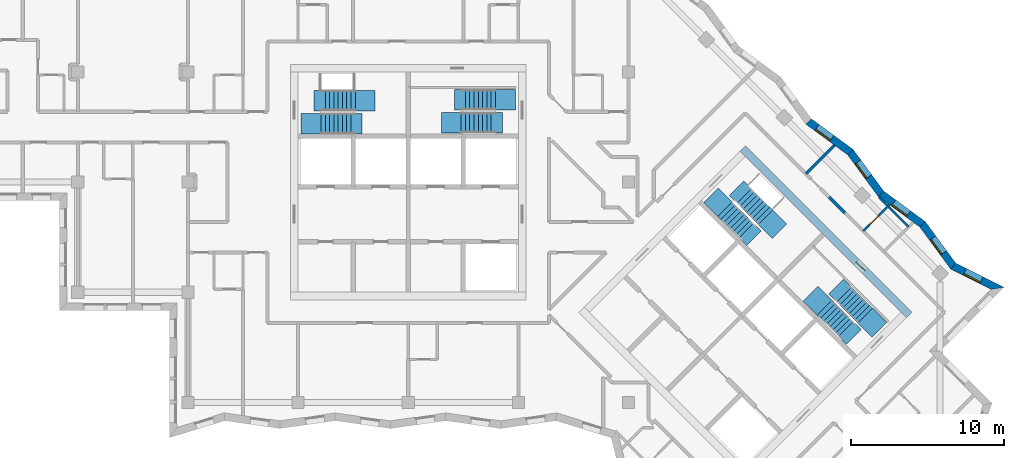
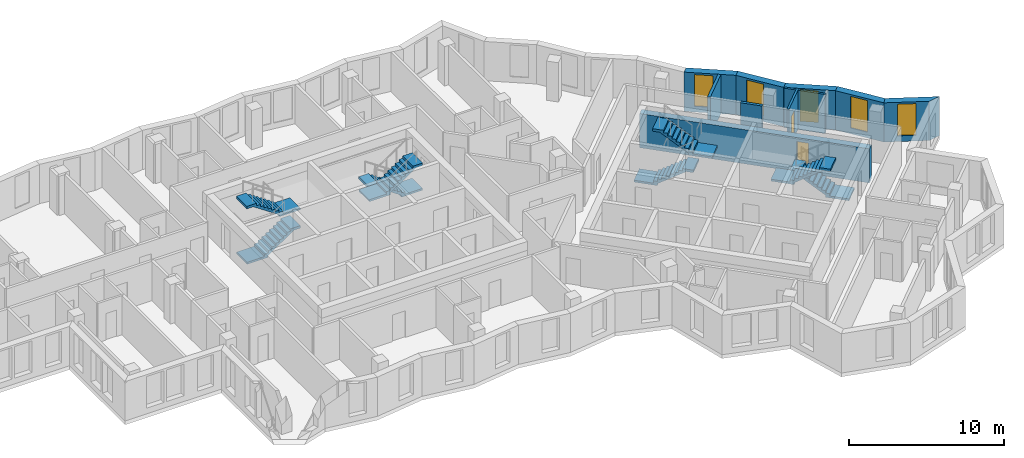
# One storey, part 9 of 12: 10 walls, 8 stair flights, 5 windows, 2 doors, 7 openings, 4 elements without a shape of their own.
"""IFC4 building model written with IfcOpenShell, lengths in metres."""

from ifc_helpers import new_model, si_unit, direction, frame, frame_2d, origin, place, context, subcontext, project, spatial, polyline, rectangle, outline, extrude, material, layer, layer_set, type_object, element, fill, aggregate, save


model = new_model("IFC4")

# Units and contexts
model_context = context("Model", 3, precision=1e-05, world=origin(), true_north=direction((0.0, 1.0)))
body_context = subcontext(model_context, "Body", "Model", "MODEL_VIEW")
ifc_project = project(units=[si_unit("LENGTHUNIT", "METRE"), si_unit("AREAUNIT", "SQUARE_METRE"), si_unit("VOLUMEUNIT", "CUBIC_METRE"), si_unit("PLANEANGLEUNIT", "RADIAN"), si_unit("MASSUNIT", "GRAM", prefix="KILO")], contexts=[model_context])

# Site, building, storey
site_placement = place(None, origin())
site = spatial("IfcSite", under=ifc_project, at=site_placement, CompositionType="ELEMENT")
building_placement = place(site_placement, origin())
building = spatial("IfcBuilding", under=site, at=building_placement, Name="Windrow Commons", CompositionType="ELEMENT")
storey_placement = place(building_placement, frame((0.0, 0.0, 213.4)))
storey = spatial("IfcBuildingStorey", under=building, at=storey_placement, Name="L58", CompositionType="ELEMENT", Elevation=213.4)

# Wall, opening, window
ifc_material_1 = material(Name="Brick masonry, red clay brick", Category="masonry")
ifc_layer_1 = layer(ifc_material_1, 0.5)
ifc_layer_set_1 = layer_set([ifc_layer_1], Name="Brick facade wall 500")
wall_type_1 = type_object("IfcWallType", Name="Brick facade wall 500", PredefinedType="SOLIDWALL", material=ifc_layer_set_1)
wall_1_placement = place(storey_placement, frame((103.3231, 50.6561, 0.0), z_axis=(0.0, 0.0, 1.0), x_axis=(-0.8944457671, 0.4471764414, 0.0)))
wall_1 = element("IfcWall", 1, at=wall_1_placement, inside=storey, type_object=wall_type_1, Name="Brick facade wall L58 7", PredefinedType="SOLIDWALL", context=body_context, shape_type="SweptSolid", body=[
    extrude(outline(polyline([(-0.3469, -0.25), (3.1694, -0.25), (3.2902, 0.25), (0.3469, 0.25), (-0.3469, -0.25)])), origin(), (0.0, 0.0, 1.0), 3.1),
])
opening_1_placement = place(wall_1_placement, frame((1.1883, 0.0, 0.45)))
opening_1 = element("IfcOpeningElement", 2, at=opening_1_placement, cuts=wall_1, Name="Opening W7E", PredefinedType="OPENING", context=body_context, shape_type="SweptSolid", body=[
    extrude(rectangle(XDim=1.2, YDim=2.5, at=frame_2d((0.6, 1.25))), frame((0.0, 0.26, 0.0), z_axis=(0.0, -1.0, 0.0), x_axis=(1.0, 0.0, 0.0)), (0.0, 0.0, 1.0), 0.52),
])
ifc_material_2 = material(Name="Clear float glass in anodised aluminium frame", Category="aluminium")
window_type = type_object("IfcWindowType", Name="Window W7 notch 1200x2500", PartitioningType="SINGLE_PANEL", PredefinedType="WINDOW", material=ifc_material_2)
window_1_placement = place(opening_1_placement, origin())
window_1 = element("IfcWindow", 3, at=window_1_placement, inside=storey, type_object=window_type, Name="Window L58 7.1", OverallHeight=2.5, OverallWidth=1.2, PartitioningType="SINGLE_PANEL", PredefinedType="WINDOW", context=body_context, shape_type="SweptSolid", body=[
    extrude(rectangle(XDim=1.2, YDim=2.5, at=frame_2d((0.6, 1.25))), frame((0.0, 0.18, 0.0), z_axis=(0.0, -1.0, 0.0), x_axis=(1.0, 0.0, 0.0)), (0.0, 0.0, 1.0), 0.06),
])
fill(opening_1, window_1)

wall_2_placement = place(storey_placement, frame((100.4342, 52.1004, 0.0), z_axis=(0.0, 0.0, 1.0), x_axis=(-0.5916303667, 0.8062093458, 0.0)))
wall_2 = element("IfcWall", 4, at=wall_2_placement, inside=storey, type_object=wall_type_1, Name="Brick facade wall L58 8", PredefinedType="SOLIDWALL", context=body_context, shape_type="SweptSolid", body=[
    extrude(outline(polyline([(0.0604, -0.25), (3.4352, -0.25), (3.3585, 0.25), (-0.0604, 0.25), (0.0604, -0.25)])), origin(), (0.0, 0.0, 1.0), 3.1),
])
opening_2_placement = place(wall_2_placement, frame((1.0792, 0.0, 0.45)))
opening_2 = element("IfcOpeningElement", 5, at=opening_2_placement, cuts=wall_2, Name="Opening W7E", PredefinedType="OPENING", context=body_context, shape_type="SweptSolid", body=[
    extrude(rectangle(XDim=1.2, YDim=2.5, at=frame_2d((0.6, 1.25))), frame((0.0, 0.26, 0.0), z_axis=(0.0, -1.0, 0.0), x_axis=(1.0, 0.0, 0.0)), (0.0, 0.0, 1.0), 0.52),
])
window_2_placement = place(opening_2_placement, origin())
window_2 = element("IfcWindow", 6, at=window_2_placement, inside=storey, type_object=window_type, Name="Window L58 8.1", OverallHeight=2.5, OverallWidth=1.2, PartitioningType="SINGLE_PANEL", PredefinedType="WINDOW", context=body_context, shape_type="SweptSolid", body=[
    extrude(rectangle(XDim=1.2, YDim=2.5, at=frame_2d((0.6, 1.25))), frame((0.0, 0.18, 0.0), z_axis=(0.0, -1.0, 0.0), x_axis=(1.0, 0.0, 0.0)), (0.0, 0.0, 1.0), 0.06),
])
fill(opening_2, window_2)

wall_3_placement = place(storey_placement, frame((98.4245, 54.839, 0.0), z_axis=(0.0, 0.0, 1.0), x_axis=(-0.806200528, 0.5916423825, 0.0)))
wall_3 = element("IfcWall", 7, at=wall_3_placement, inside=storey, type_object=wall_type_1, Name="Brick facade wall L58 9", PredefinedType="SOLIDWALL", context=body_context, shape_type="SweptSolid", body=[
    extrude(outline(polyline([(-0.0384, -0.25), (3.3365, -0.25), (3.4132, 0.25), (0.0384, 0.25), (-0.0384, -0.25)])), origin(), (0.0, 0.0, 1.0), 3.1),
])
opening_3_placement = place(wall_3_placement, frame((1.1547, 0.0, 0.45)))
opening_3 = element("IfcOpeningElement", 8, at=opening_3_placement, cuts=wall_3, Name="Opening W7E", PredefinedType="OPENING", context=body_context, shape_type="SweptSolid", body=[
    extrude(rectangle(XDim=1.2, YDim=2.5, at=frame_2d((0.6, 1.25))), frame((0.0, 0.26, 0.0), z_axis=(0.0, -1.0, 0.0), x_axis=(1.0, 0.0, 0.0)), (0.0, 0.0, 1.0), 0.52),
])
window_3_placement = place(opening_3_placement, origin())
window_3 = element("IfcWindow", 9, at=window_3_placement, inside=storey, type_object=window_type, Name="Window L58 9.1", OverallHeight=2.5, OverallWidth=1.2, PartitioningType="SINGLE_PANEL", PredefinedType="WINDOW", context=body_context, shape_type="SweptSolid", body=[
    extrude(rectangle(XDim=1.2, YDim=2.5, at=frame_2d((0.6, 1.25))), frame((0.0, 0.18, 0.0), z_axis=(0.0, -1.0, 0.0), x_axis=(1.0, 0.0, 0.0)), (0.0, 0.0, 1.0), 0.06),
])
fill(opening_3, window_3)

wall_4_placement = place(storey_placement, frame((95.7037, 56.8357, 0.0), z_axis=(0.0, 0.0, 1.0), x_axis=(-0.5916423825, 0.806200528, 0.0)))
wall_4 = element("IfcWall", 10, at=wall_4_placement, inside=storey, type_object=wall_type_1, Name="Brick facade wall L58 10", PredefinedType="SOLIDWALL", context=body_context, shape_type="SweptSolid", body=[
    extrude(outline(polyline([(0.0384, -0.25), (3.4132, -0.25), (3.3365, 0.25), (-0.0384, 0.25), (0.0384, -0.25)])), origin(), (0.0, 0.0, 1.0), 3.1),
])
opening_4_placement = place(wall_4_placement, frame((1.3692, 0.0, 0.45)))
opening_4 = element("IfcOpeningElement", 11, at=opening_4_placement, cuts=wall_4, Name="Opening W7E", PredefinedType="OPENING", context=body_context, shape_type="SweptSolid", body=[
    extrude(rectangle(XDim=1.2, YDim=2.5, at=frame_2d((0.6, 1.25))), frame((0.0, 0.26, 0.0), z_axis=(0.0, -1.0, 0.0), x_axis=(1.0, 0.0, 0.0)), (0.0, 0.0, 1.0), 0.52),
])
window_4_placement = place(opening_4_placement, origin())
window_4 = element("IfcWindow", 12, at=window_4_placement, inside=storey, type_object=window_type, Name="Window L58 10.1", OverallHeight=2.5, OverallWidth=1.2, PartitioningType="SINGLE_PANEL", PredefinedType="WINDOW", context=body_context, shape_type="SweptSolid", body=[
    extrude(rectangle(XDim=1.2, YDim=2.5, at=frame_2d((0.6, 1.25))), frame((0.0, 0.18, 0.0), z_axis=(0.0, -1.0, 0.0), x_axis=(1.0, 0.0, 0.0)), (0.0, 0.0, 1.0), 0.06),
])
fill(opening_4, window_4)

wall_5_placement = place(storey_placement, frame((93.707, 59.5565, 0.0), z_axis=(0.0, 0.0, 1.0), x_axis=(-0.8061901555, 0.5916565162, 0.0)))
wall_5 = element("IfcWall", 13, at=wall_5_placement, inside=storey, type_object=wall_type_1, Name="Brick facade wall L58 11", PredefinedType="SOLIDWALL", context=body_context, shape_type="SweptSolid", body=[
    extrude(outline(polyline([(-0.0384, -0.25), (3.3365, -0.25), (3.4132, 0.25), (0.0384, 0.25), (-0.0384, -0.25)])), origin(), (0.0, 0.0, 1.0), 3.1),
])
opening_5_placement = place(wall_5_placement, frame((1.5221, 0.0, 0.45)))
opening_5 = element("IfcOpeningElement", 14, at=opening_5_placement, cuts=wall_5, Name="Opening W7E", PredefinedType="OPENING", context=body_context, shape_type="SweptSolid", body=[
    extrude(rectangle(XDim=1.2, YDim=2.5, at=frame_2d((0.6, 1.25))), frame((0.0, 0.26, 0.0), z_axis=(0.0, -1.0, 0.0), x_axis=(1.0, 0.0, 0.0)), (0.0, 0.0, 1.0), 0.52),
])
window_5_placement = place(opening_5_placement, origin())
window_5 = element("IfcWindow", 15, at=window_5_placement, inside=storey, type_object=window_type, Name="Window L58 11.1", OverallHeight=2.5, OverallWidth=1.2, PartitioningType="SINGLE_PANEL", PredefinedType="WINDOW", context=body_context, shape_type="SweptSolid", body=[
    extrude(rectangle(XDim=1.2, YDim=2.5, at=frame_2d((0.6, 1.25))), frame((0.0, 0.18, 0.0), z_axis=(0.0, -1.0, 0.0), x_axis=(1.0, 0.0, 0.0)), (0.0, 0.0, 1.0), 0.06),
])
fill(opening_5, window_5)

# Walls
ifc_material_3 = material(Name="Blockwork partition", Category="masonry")
ifc_layer_2 = layer(ifc_material_3, 0.2)
ifc_layer_set_2 = layer_set([ifc_layer_2], Name="IW-CORRIDOR-200")
wall_type_2 = type_object("IfcWallType", Name="IW-CORRIDOR-200", PredefinedType="PARTITIONING", material=ifc_layer_set_2)
wall_6_placement = place(storey_placement, frame((92.3106, 56.6266, 0.0), z_axis=(0.0, 0.0, 1.0), x_axis=(0.7077922938, -0.7064206033, 0.0)))
element("IfcWall", 16, at=wall_6_placement, inside=storey, type_object=wall_type_2, Name="W-L58-W122", PredefinedType="PARTITIONING", context=body_context, shape_type="SweptSolid", body=[
    extrude(rectangle(XDim=1.4581, YDim=0.2, at=frame_2d((0.729, 0.0))), origin(), (0.0, 0.0, 1.0), 3.1),
])
ifc_material_4 = material(Name="Blockwork partition", Category="masonry")
ifc_layer_3 = layer(ifc_material_4, 0.15)
ifc_layer_set_3 = layer_set([ifc_layer_3], Name="IW-ENSUITE-150")
wall_type_3 = type_object("IfcWallType", Name="IW-ENSUITE-150", PredefinedType="PARTITIONING", material=ifc_layer_set_3)
wall_7_placement = place(storey_placement, frame((95.567, 56.6165, 0.0), z_axis=(0.0, 0.0, 1.0), x_axis=(0.7071249702, -0.7070885917, 0.0)))
element("IfcWall", 17, at=wall_7_placement, inside=storey, type_object=wall_type_3, Name="W-L58-W052", PredefinedType="PARTITIONING", context=body_context, shape_type="SweptSolid", body=[
    extrude(rectangle(XDim=2.7489, YDim=0.15, at=frame_2d((1.3744, 0.0))), origin(), (0.0, 0.0, 1.0), 3.1),
])

# Wall, opening, door
wall_8_placement = place(storey_placement, frame((94.5438, 54.3942, 0.0), z_axis=(0.0, 0.0, 1.0), x_axis=(0.7071067812, 0.7071067812, 0.0)))
wall_8 = element("IfcWall", 18, at=wall_8_placement, inside=storey, type_object=wall_type_3, Name="W-L58-W084", PredefinedType="PARTITIONING", context=body_context, shape_type="SweptSolid", body=[
    extrude(rectangle(XDim=2.4327, YDim=0.15, at=frame_2d((1.2164, 0.0))), origin(), (0.0, 0.0, 1.0), 3.1),
])
opening_6_placement = place(wall_8_placement, frame((0.5941, 0.0, 0.0)))
opening_6 = element("IfcOpeningElement", 19, at=opening_6_placement, cuts=wall_8, Name="Opening D208N", PredefinedType="OPENING", context=body_context, shape_type="SweptSolid", body=[
    extrude(rectangle(XDim=0.8, YDim=2.1, at=frame_2d((0.4, 1.05))), frame((0.0, 0.085, 0.0), z_axis=(0.0, -1.0, 0.0), x_axis=(1.0, 0.0, 0.0)), (0.0, 0.0, 1.0), 0.17),
])
ifc_material_5 = material(Name="Timber door leaf", Category="wood")
door_type_1 = type_object("IfcDoorType", Name="DT-ENSUITE-800", OperationType="SINGLE_SWING_LEFT", PredefinedType="DOOR", material=ifc_material_5)
door_1_placement = place(opening_6_placement, origin())
door_1 = element("IfcDoor", 20, at=door_1_placement, inside=storey, type_object=door_type_1, Name="D-L58-D038", OperationType="SINGLE_SWING_RIGHT", OverallHeight=2.1, OverallWidth=0.8, PredefinedType="DOOR", context=body_context, shape_type="SweptSolid", body=[
    extrude(rectangle(XDim=0.8, YDim=2.1, at=frame_2d((0.4, 1.05))), frame((0.0, 0.025, 0.0), z_axis=(0.0, -1.0, 0.0), x_axis=(1.0, 0.0, 0.0)), (0.0, 0.0, 1.0), 0.05),
])
fill(opening_6, door_1)

# Wall
ifc_material_6 = material(Name="Blockwork partition", Category="masonry")
ifc_layer_4 = layer(ifc_material_6, 0.2)
ifc_layer_set_4 = layer_set([ifc_layer_4], Name="IW-PARTY-200")
wall_type_4 = type_object("IfcWallType", Name="IW-PARTY-200", PredefinedType="PARTITIONING", material=ifc_layer_set_4)
wall_9_placement = place(storey_placement, frame((90.7972, 58.1388, 0.0), z_axis=(0.0, 0.0, 1.0), x_axis=(0.7066529259, 0.7075603454, 0.0)))
element("IfcWall", 21, at=wall_9_placement, inside=storey, type_object=wall_type_4, Name="W-L58-W058", PredefinedType="PARTITIONING", context=body_context, shape_type="SweptSolid", body=[
    extrude(rectangle(XDim=2.6449, YDim=0.2, at=frame_2d((1.3224, 0.0))), origin(), (0.0, 0.0, 1.0), 3.1),
])

# Wall, opening, door
ifc_material_7 = material(Name="Concrete C40/50", Category="concrete")
ifc_layer_5 = layer(ifc_material_7, 0.5)
ifc_layer_set_5 = layer_set([ifc_layer_5], Name="RC CORE WALL 500 C40/50")
wall_type_5 = type_object("IfcWallType", Name="RC CORE WALL 500 C40/50", PredefinedType="SHEAR", material=ifc_layer_set_5)
wall_10_placement = place(storey_placement, frame((86.66, 59.8024, -0.3), z_axis=(0.0, 0.0, 1.0), x_axis=(0.7071067812, -0.7071067812, 0.0)))
wall_10 = element("IfcWall", 22, at=wall_10_placement, inside=storey, type_object=wall_type_5, Name="Core B wall outer-N", PredefinedType="SHEAR", context=body_context, shape_type="SweptSolid", body=[
    extrude(rectangle(XDim=15.3999, YDim=0.5, at=frame_2d((7.7, 0.0))), origin(), (0.0, 0.0, 1.0), 2.7),
])
opening_7_placement = place(wall_10_placement, frame((10.5, 0.0, 0.3)))
opening_7 = element("IfcOpeningElement", 23, at=opening_7_placement, cuts=wall_10, Name="Opening D9", PredefinedType="OPENING", context=body_context, shape_type="SweptSolid", body=[
    extrude(rectangle(XDim=0.8, YDim=2.1, at=frame_2d((0.4, 1.05))), frame((0.0, 0.26, 0.0), z_axis=(0.0, -1.0, 0.0), x_axis=(1.0, 0.0, 0.0)), (0.0, 0.0, 1.0), 0.52),
])
ifc_material_8 = material(Name="Steel fire door leaf", Category="steel")
door_type_2 = type_object("IfcDoorType", Name="Riser access door 800", OperationType="SINGLE_SWING_LEFT", PredefinedType="DOOR", material=ifc_material_8)
door_2_placement = place(opening_7_placement, origin())
door_2 = element("IfcDoor", 24, at=door_2_placement, inside=storey, type_object=door_type_2, Name="Riser access door", OperationType="SINGLE_SWING_RIGHT", OverallHeight=2.1, OverallWidth=0.8, PredefinedType="DOOR", context=body_context, shape_type="SweptSolid", body=[
    extrude(rectangle(XDim=0.8, YDim=2.1, at=frame_2d((0.4, 1.05))), frame((0.0, 0.025, 0.0), z_axis=(0.0, -1.0, 0.0), x_axis=(1.0, 0.0, 0.0)), (0.0, 0.0, 1.0), 0.05),
])
fill(opening_7, door_2)

# Stair, stair flights
ifc_material_9 = material(Name="Concrete C40/50", Category="concrete")
stair_type = type_object("IfcStairType", Name="Core stair", PredefinedType="HALF_TURN_STAIR", material=ifc_material_9)
placement = place(storey_placement, origin())
stair_1 = element("IfcStair", 25, at=placement, inside=storey, type_object=stair_type, Name="L58 Exit stair A1 core A", PredefinedType="HALF_TURN_STAIR")
ifc_material_10 = material(Name="Concrete C40/50", Category="concrete")
stair_flight_type = type_object("IfcStairFlightType", Name="Core stair flight", PredefinedType="STRAIGHT", material=ifc_material_10)
stair_flight_1_placement = place(storey_placement, frame((59.1, 61.425, 0.0), z_axis=(0.0, 0.0, 1.0), x_axis=(1.0, 0.0, 0.0)))
stair_flight_1 = element("IfcStairFlight", 26, at=stair_flight_1_placement, type_object=stair_flight_type, Name="ST-A1 flight 1", NumberOfRisers=9, NumberOfTreads=8, PredefinedType="STRAIGHT", RiserHeight=0.188888889, TreadLength=0.28, context=body_context, shape_type="SweptSolid", body=[
    extrude(outline(polyline([(-1.3, -0.15), (-1.3, 0.0), (0.0, 0.0), (0.0, 0.1889), (0.28, 0.1889), (0.28, 0.3778), (0.56, 0.3778), (0.56, 0.5667), (0.84, 0.5667), (0.84, 0.7556), (1.12, 0.7556), (1.12, 0.9444), (1.4, 0.9444), (1.4, 1.1333), (1.68, 1.1333), (1.68, 1.3222), (1.96, 1.3222), (1.96, 1.5111), (2.24, 1.5111), (2.69, 1.5111), (2.69, 1.3111), (2.24, 1.3111), (2.24, 1.3302), (0.2682, 0.0), (0.2682, -0.15), (-1.3, -0.15)])), frame((0.0, 0.675, 0.0), z_axis=(0.0, -1.0, 0.0), x_axis=(1.0, 0.0, 0.0)), (0.0, 0.0, 1.0), 1.35),
])
stair_flight_2_placement = place(storey_placement, frame((61.34, 62.925, 1.7), z_axis=(0.0, 0.0, 1.0), x_axis=(-1.0, 0.0, 0.0)))
stair_flight_2 = element("IfcStairFlight", 27, at=stair_flight_2_placement, type_object=stair_flight_type, Name="ST-A1 flight 2", NumberOfRisers=9, NumberOfTreads=8, PredefinedType="STRAIGHT", RiserHeight=0.188888889, TreadLength=0.28, context=body_context, shape_type="SweptSolid", body=[
    extrude(outline(polyline([(-1.3, -0.15), (-1.3, 0.0), (0.0, 0.0), (0.0, 0.1889), (0.28, 0.1889), (0.28, 0.3778), (0.56, 0.3778), (0.56, 0.5667), (0.84, 0.5667), (0.84, 0.7556), (1.12, 0.7556), (1.12, 0.9444), (1.4, 0.9444), (1.4, 1.1333), (1.68, 1.1333), (1.68, 1.3222), (1.96, 1.3222), (1.96, 1.5111), (2.24, 1.5111), (2.69, 1.5111), (2.69, 1.3111), (2.24, 1.3111), (2.24, 1.3302), (0.2682, 0.0), (0.2682, -0.15), (-1.3, -0.15)])), frame((0.0, 0.675, 0.0), z_axis=(0.0, -1.0, 0.0), x_axis=(1.0, 0.0, 0.0)), (0.0, 0.0, 1.0), 1.35),
])
aggregate(stair_1, [stair_flight_1, stair_flight_2])

stair_2 = element("IfcStair", 28, at=placement, inside=storey, type_object=stair_type, Name="L58 Exit stair A2 core A", PredefinedType="HALF_TURN_STAIR")
stair_flight_3_placement = place(storey_placement, frame((70.5, 62.98, 0.0), z_axis=(0.0, 0.0, 1.0), x_axis=(-1.0, 0.0, 0.0)))
stair_flight_3 = element("IfcStairFlight", 29, at=stair_flight_3_placement, type_object=stair_flight_type, Name="ST-A2 flight 1", NumberOfRisers=9, NumberOfTreads=8, PredefinedType="STRAIGHT", RiserHeight=0.188888889, TreadLength=0.28, context=body_context, shape_type="SweptSolid", body=[
    extrude(outline(polyline([(-1.3, -0.15), (-1.3, 0.0), (0.0, 0.0), (0.0, 0.1889), (0.28, 0.1889), (0.28, 0.3778), (0.56, 0.3778), (0.56, 0.5667), (0.84, 0.5667), (0.84, 0.7556), (1.12, 0.7556), (1.12, 0.9444), (1.4, 0.9444), (1.4, 1.1333), (1.68, 1.1333), (1.68, 1.3222), (1.96, 1.3222), (1.96, 1.5111), (2.24, 1.5111), (2.69, 1.5111), (2.69, 1.3111), (2.24, 1.3111), (2.24, 1.3302), (0.2682, 0.0), (0.2682, -0.15), (-1.3, -0.15)])), frame((0.0, 0.675, 0.0), z_axis=(0.0, -1.0, 0.0), x_axis=(1.0, 0.0, 0.0)), (0.0, 0.0, 1.0), 1.35),
])
stair_flight_4_placement = place(storey_placement, frame((68.26, 61.48, 1.7), z_axis=(0.0, 0.0, 1.0), x_axis=(1.0, 0.0, 0.0)))
stair_flight_4 = element("IfcStairFlight", 30, at=stair_flight_4_placement, type_object=stair_flight_type, Name="ST-A2 flight 2", NumberOfRisers=9, NumberOfTreads=8, PredefinedType="STRAIGHT", RiserHeight=0.188888889, TreadLength=0.28, context=body_context, shape_type="SweptSolid", body=[
    extrude(outline(polyline([(-1.3, -0.15), (-1.3, 0.0), (0.0, 0.0), (0.0, 0.1889), (0.28, 0.1889), (0.28, 0.3778), (0.56, 0.3778), (0.56, 0.5667), (0.84, 0.5667), (0.84, 0.7556), (1.12, 0.7556), (1.12, 0.9444), (1.4, 0.9444), (1.4, 1.1333), (1.68, 1.1333), (1.68, 1.3222), (1.96, 1.3222), (1.96, 1.5111), (2.24, 1.5111), (2.69, 1.5111), (2.69, 1.3111), (2.24, 1.3111), (2.24, 1.3302), (0.2682, 0.0), (0.2682, -0.15), (-1.3, -0.15)])), frame((0.0, 0.675, 0.0), z_axis=(0.0, -1.0, 0.0), x_axis=(1.0, 0.0, 0.0)), (0.0, 0.0, 1.0), 1.35),
])
aggregate(stair_2, [stair_flight_3, stair_flight_4])

stair_3 = element("IfcStair", 31, at=placement, inside=storey, type_object=stair_type, Name="L58 Exit stair B1 core B", PredefinedType="HALF_TURN_STAIR")
stair_flight_5_placement = place(storey_placement, frame((85.5109, 55.8249, 0.0), z_axis=(0.0, 0.0, 1.0), x_axis=(0.7071067812, -0.7071067812, 0.0)))
stair_flight_5 = element("IfcStairFlight", 32, at=stair_flight_5_placement, type_object=stair_flight_type, Name="ST-B1 flight 1", NumberOfRisers=9, NumberOfTreads=8, PredefinedType="STRAIGHT", RiserHeight=0.188888889, TreadLength=0.28, context=body_context, shape_type="SweptSolid", body=[
    extrude(outline(polyline([(-1.3, -0.15), (-1.3, 0.0), (0.0, 0.0), (0.0, 0.1889), (0.28, 0.1889), (0.28, 0.3778), (0.56, 0.3778), (0.56, 0.5667), (0.84, 0.5667), (0.84, 0.7556), (1.12, 0.7556), (1.12, 0.9444), (1.4, 0.9444), (1.4, 1.1333), (1.68, 1.1333), (1.68, 1.3222), (1.96, 1.3222), (1.96, 1.5111), (2.24, 1.5111), (2.69, 1.5111), (2.69, 1.3111), (2.24, 1.3111), (2.24, 1.3302), (0.2682, 0.0), (0.2682, -0.15), (-1.3, -0.15)])), frame((0.0, 0.675, 0.0), z_axis=(0.0, -1.0, 0.0), x_axis=(1.0, 0.0, 0.0)), (0.0, 0.0, 1.0), 1.35),
])
stair_flight_6_placement = place(storey_placement, frame((88.1555, 55.3017, 1.7), z_axis=(0.0, 0.0, 1.0), x_axis=(-0.7071067812, 0.7071067812, 0.0)))
stair_flight_6 = element("IfcStairFlight", 33, at=stair_flight_6_placement, type_object=stair_flight_type, Name="ST-B1 flight 2", NumberOfRisers=9, NumberOfTreads=8, PredefinedType="STRAIGHT", RiserHeight=0.188888889, TreadLength=0.28, context=body_context, shape_type="SweptSolid", body=[
    extrude(outline(polyline([(-1.3, -0.15), (-1.3, 0.0), (0.0, 0.0), (0.0, 0.1889), (0.28, 0.1889), (0.28, 0.3778), (0.56, 0.3778), (0.56, 0.5667), (0.84, 0.5667), (0.84, 0.7556), (1.12, 0.7556), (1.12, 0.9444), (1.4, 0.9444), (1.4, 1.1333), (1.68, 1.1333), (1.68, 1.3222), (1.96, 1.3222), (1.96, 1.5111), (2.24, 1.5111), (2.69, 1.5111), (2.69, 1.3111), (2.24, 1.3111), (2.24, 1.3302), (0.2682, 0.0), (0.2682, -0.15), (-1.3, -0.15)])), frame((0.0, 0.675, 0.0), z_axis=(0.0, -1.0, 0.0), x_axis=(1.0, 0.0, 0.0)), (0.0, 0.0, 1.0), 1.35),
])
aggregate(stair_3, [stair_flight_5, stair_flight_6])

stair_4 = element("IfcStair", 34, at=placement, inside=storey, type_object=stair_type, Name="L58 Exit stair B2 core B", PredefinedType="HALF_TURN_STAIR")
stair_flight_7_placement = place(storey_placement, frame((94.6715, 48.8635, 0.0), z_axis=(0.0, 0.0, 1.0), x_axis=(-0.7071067812, 0.7071067812, 0.0)))
stair_flight_7 = element("IfcStairFlight", 35, at=stair_flight_7_placement, type_object=stair_flight_type, Name="ST-B2 flight 1", NumberOfRisers=9, NumberOfTreads=8, PredefinedType="STRAIGHT", RiserHeight=0.188888889, TreadLength=0.28, context=body_context, shape_type="SweptSolid", body=[
    extrude(outline(polyline([(-1.3, -0.15), (-1.3, 0.0), (0.0, 0.0), (0.0, 0.1889), (0.28, 0.1889), (0.28, 0.3778), (0.56, 0.3778), (0.56, 0.5667), (0.84, 0.5667), (0.84, 0.7556), (1.12, 0.7556), (1.12, 0.9444), (1.4, 0.9444), (1.4, 1.1333), (1.68, 1.1333), (1.68, 1.3222), (1.96, 1.3222), (1.96, 1.5111), (2.24, 1.5111), (2.69, 1.5111), (2.69, 1.3111), (2.24, 1.3111), (2.24, 1.3302), (0.2682, 0.0), (0.2682, -0.15), (-1.3, -0.15)])), frame((0.0, 0.675, 0.0), z_axis=(0.0, -1.0, 0.0), x_axis=(1.0, 0.0, 0.0)), (0.0, 0.0, 1.0), 1.35),
])
stair_flight_8_placement = place(storey_placement, frame((92.0269, 49.3867, 1.7), z_axis=(0.0, 0.0, 1.0), x_axis=(0.7071067812, -0.7071067812, 0.0)))
stair_flight_8 = element("IfcStairFlight", 36, at=stair_flight_8_placement, type_object=stair_flight_type, Name="ST-B2 flight 2", NumberOfRisers=9, NumberOfTreads=8, PredefinedType="STRAIGHT", RiserHeight=0.188888889, TreadLength=0.28, context=body_context, shape_type="SweptSolid", body=[
    extrude(outline(polyline([(-1.3, -0.15), (-1.3, 0.0), (0.0, 0.0), (0.0, 0.1889), (0.28, 0.1889), (0.28, 0.3778), (0.56, 0.3778), (0.56, 0.5667), (0.84, 0.5667), (0.84, 0.7556), (1.12, 0.7556), (1.12, 0.9444), (1.4, 0.9444), (1.4, 1.1333), (1.68, 1.1333), (1.68, 1.3222), (1.96, 1.3222), (1.96, 1.5111), (2.24, 1.5111), (2.69, 1.5111), (2.69, 1.3111), (2.24, 1.3111), (2.24, 1.3302), (0.2682, 0.0), (0.2682, -0.15), (-1.3, -0.15)])), frame((0.0, 0.675, 0.0), z_axis=(0.0, -1.0, 0.0), x_axis=(1.0, 0.0, 0.0)), (0.0, 0.0, 1.0), 1.35),
])
aggregate(stair_4, [stair_flight_7, stair_flight_8])

save(model, "model.ifc")
